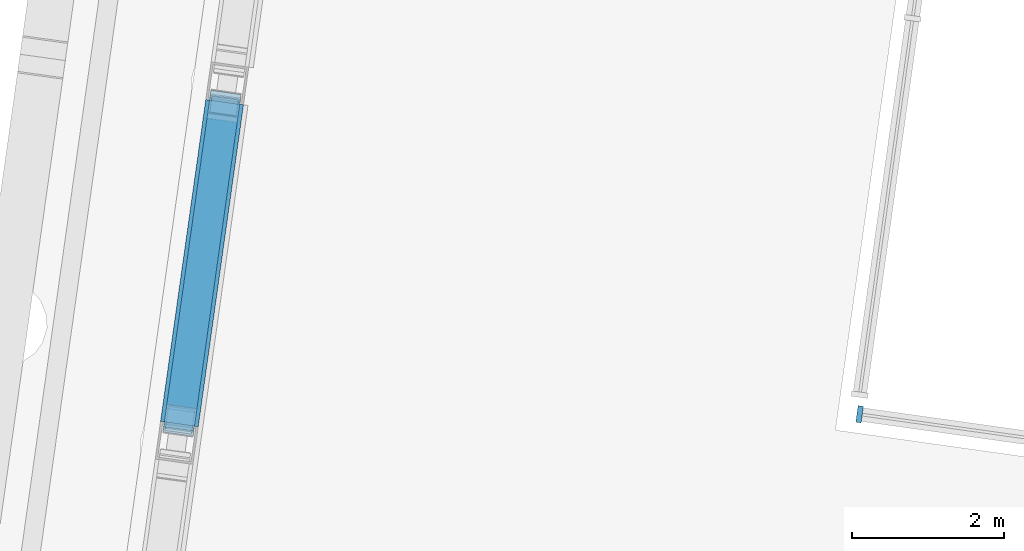
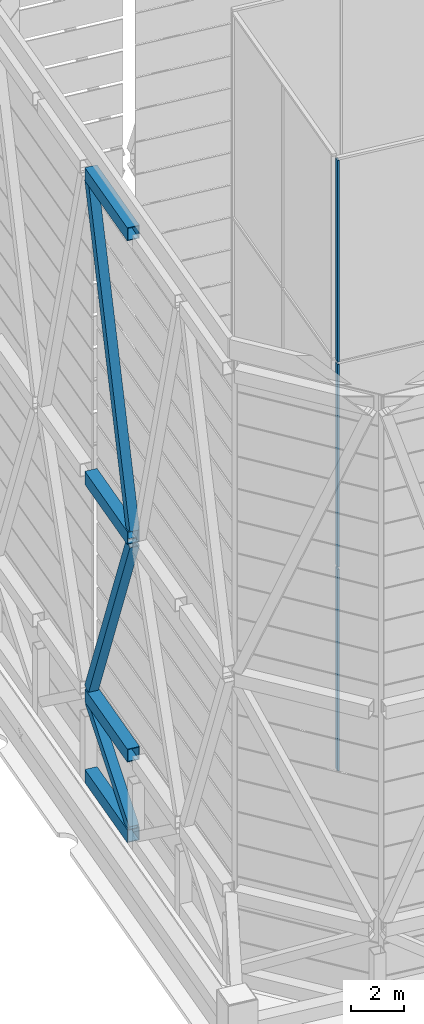
# One storey, part 4 of 45: 6 members, 4 beams, 1 element without a shape of its own.
"""IFC4 building model written with IfcOpenShell, lengths in metres."""

from ifc_helpers import new_model, si_unit, direction, frame, origin, origin_2d, place, context, subcontext, project, spatial, rectangle, hollow_rectangle, extrude, material, material_profile, profile_set, type_object, element, aggregate, save


model = new_model("IFC4")

# Units and contexts
model_context = context("Model", 3, precision=1e-05, world=origin(), true_north=direction((0.0, 1.0)))
body_context = subcontext(model_context, "Body", "Model", "MODEL_VIEW")
ifc_project = project(units=[si_unit("LENGTHUNIT", "METRE"), si_unit("AREAUNIT", "SQUARE_METRE"), si_unit("VOLUMEUNIT", "CUBIC_METRE"), si_unit("PLANEANGLEUNIT", "RADIAN"), si_unit("MASSUNIT", "GRAM", prefix="KILO")], contexts=[model_context])

# Site, building, storey
site_placement = place(None, origin())
site = spatial("IfcSite", under=ifc_project, at=site_placement, CompositionType="ELEMENT")
building_placement = place(site_placement, origin())
building = spatial("IfcBuilding", under=site, at=building_placement, Name="Mirante Cascada Hotel Towers", CompositionType="ELEMENT")
storey_placement = place(building_placement, frame((0.0, 0.0, 269.8)))
storey = spatial("IfcBuildingStorey", under=building, at=storey_placement, Name="Roof garden", CompositionType="ELEMENT", Elevation=269.8)

# Beams
ifc_material_1 = material(Name="Steel ASTM A572 Gr 50", Category="steel")
ifc_material_profile_1 = material_profile(ifc_material_1, hollow_rectangle(XDim=0.5, YDim=0.6, WallThickness=0.03, at=origin_2d()), Name="Box beam 600x500x30 ASTM A572 Gr 50")
ifc_profile_set_1 = profile_set([ifc_material_profile_1], Name="Steel ASTM A572 Gr 50")
beam_type = type_object("IfcBeamType", Name="Box beam 600x500x30 ASTM A572 Gr 50", PredefinedType="BEAM", material=ifc_profile_set_1)
for number, where, z_axis, x_axis, name in (
    (1, (-56.3264, 1.4475, 0.3), (-0.1391626, -0.9902695, 0.0), (0.9902695, -0.1391626, 0.0), "CROWN FRAME ring beam T1 20"),
    (2, (-56.3264, 1.4475, 4.0), (-0.1391626, -0.9902695, 0.0), (0.9902695, -0.1391626, 0.0), "CROWN FRAME ring beam T1 50"),
    (3, (-56.3264, 1.4475, 14.0), (-0.1391626, -0.9902695, 0.0), (0.9902695, -0.1391626, 0.0), "CROWN FRAME ring beam T1 80"),
    (4, (-56.3264, 1.4475, 27.95), (-0.1391626, -0.9902695, 0.0), (0.9902695, -0.1391626, 0.0), "CROWN FRAME ring beam T1 110"),
):
    element("IfcBeam", number, at=place(storey_placement, frame(where, z_axis=z_axis, x_axis=x_axis)), inside=storey, type_object=beam_type, Name=name, PredefinedType="BEAM", context=body_context, shape_type="SweptSolid", body=[
        extrude(hollow_rectangle(XDim=0.5, YDim=0.6, WallThickness=0.03, at=origin_2d()), origin(), (0.0, 0.0, 1.0), 4.2713),
    ])

# Members
ifc_material_2 = material(Name="Steel ASTM A572 Gr 50", Category="steel")
ifc_material_profile_2 = material_profile(ifc_material_2, hollow_rectangle(XDim=0.4, YDim=0.4, WallThickness=0.025, at=origin_2d()), Name="Box brace 400x400x25 ASTM A572 Gr 50")
ifc_profile_set_2 = profile_set([ifc_material_profile_2], Name="Steel ASTM A572 Gr 50")
member_type_1 = type_object("IfcMemberType", Name="Box brace 400x400x25 ASTM A572 Gr 50", PredefinedType="BRACE", material=ifc_profile_set_2)
member_1_placement = place(storey_placement, frame((-56.9139, -2.7326, 0.6), z_axis=(0.111699, 0.7948043, 0.5964977), x_axis=(-0.9902687, 0.1391689, 0.0)))
element("IfcMember", 5, at=member_1_placement, inside=storey, type_object=member_type_1, Name="Hat truss diagonal T1 20", PredefinedType="BRACE", context=body_context, shape_type="SweptSolid", body=[
    extrude(hollow_rectangle(XDim=0.4, YDim=0.4, WallThickness=0.025, at=origin_2d()), origin(), (0.0, 0.0, 1.0), 5.197),
])
member_2_placement = place(storey_placement, frame((-56.3334, 1.398, 4.3), z_axis=(-0.0564474, -0.4016565, 0.9140491), x_axis=(0.9902687, -0.1391689, 0.0)))
element("IfcMember", 6, at=member_2_placement, inside=storey, type_object=member_type_1, Name="CROWN FRAME brace T1 50", PredefinedType="BRACE", context=body_context, shape_type="SweptSolid", body=[
    extrude(hollow_rectangle(XDim=0.4, YDim=0.4, WallThickness=0.025, at=origin_2d()), origin(), (0.0, 0.0, 1.0), 10.2839),
])
member_3_placement = place(storey_placement, frame((-56.9139, -2.7326, 14.3), z_axis=(0.0415044, 0.2953283, 0.9544939), x_axis=(-0.9902687, 0.1391689, 0.0)))
element("IfcMember", 7, at=member_3_placement, inside=storey, type_object=member_type_1, Name="CROWN FRAME brace T1 80", PredefinedType="BRACE", context=body_context, shape_type="SweptSolid", body=[
    extrude(hollow_rectangle(XDim=0.4, YDim=0.4, WallThickness=0.025, at=origin_2d()), origin(), (0.0, 0.0, 1.0), 13.9865),
])

# Curtain wall, members
ifc_material_3 = material(Name="Aluminium mullion and transom frame with clear laminated glass", Category="aluminium")
curtain_wall_type = type_object("IfcCurtainWallType", Name="Atrium rooflight wall ECW6", PredefinedType="NOTDEFINED", material=ifc_material_3)
curtain_wall_placement = place(storey_placement, origin())
curtain_wall = element("IfcCurtainWall", 8, at=curtain_wall_placement, inside=storey, type_object=curtain_wall_type, Name="Atrium rooflight wall T1 long rear", PredefinedType="NOTDEFINED")
ifc_material_4 = material(Name="Anodised aluminium extrusion", Category="aluminium")
ifc_material_profile_3 = material_profile(ifc_material_4, rectangle(XDim=0.22, YDim=0.07, at=origin_2d()), Name="ECW6 MULLION 70x220")
ifc_profile_set_3 = profile_set([ifc_material_profile_3], Name="Anodised aluminium extrusion")
member_type_2 = type_object("IfcMemberType", Name="ECW6 mullion 70x220", PredefinedType="MULLION", material=ifc_profile_set_3)
member_4_placement = place(storey_placement, frame((-47.981, -2.6539, 0.1), z_axis=(0.0, 0.0, 1.0), x_axis=(-0.1391731, -0.9902681, 0.0)))
member_4 = element("IfcMember", 9, at=member_4_placement, type_object=member_type_2, Name="ECW6 mullion 6", PredefinedType="MULLION", context=body_context, shape_type="SweptSolid", body=[
    extrude(rectangle(XDim=0.22, YDim=0.07, at=origin_2d()), origin(), (0.0, 0.0, 1.0), 9.2667),
])
member_5_placement = place(storey_placement, frame((-47.981, -2.6539, 9.4667), z_axis=(0.0, 0.0, 1.0), x_axis=(-0.1391731, -0.9902681, 0.0)))
member_5 = element("IfcMember", 10, at=member_5_placement, type_object=member_type_2, Name="ECW6 mullion 6", PredefinedType="MULLION", context=body_context, shape_type="SweptSolid", body=[
    extrude(rectangle(XDim=0.22, YDim=0.07, at=origin_2d()), origin(), (0.0, 0.0, 1.0), 9.3166),
])
member_6_placement = place(storey_placement, frame((-47.981, -2.6539, 18.8833), z_axis=(0.0, 0.0, 1.0), x_axis=(-0.1391731, -0.9902681, 0.0)))
member_6 = element("IfcMember", 11, at=member_6_placement, type_object=member_type_2, Name="ECW6 mullion 6", PredefinedType="MULLION", context=body_context, shape_type="SweptSolid", body=[
    extrude(rectangle(XDim=0.22, YDim=0.07, at=origin_2d()), origin(), (0.0, 0.0, 1.0), 9.2667),
])
aggregate(curtain_wall, [member_4, member_5, member_6])

save(model, "model.ifc")
